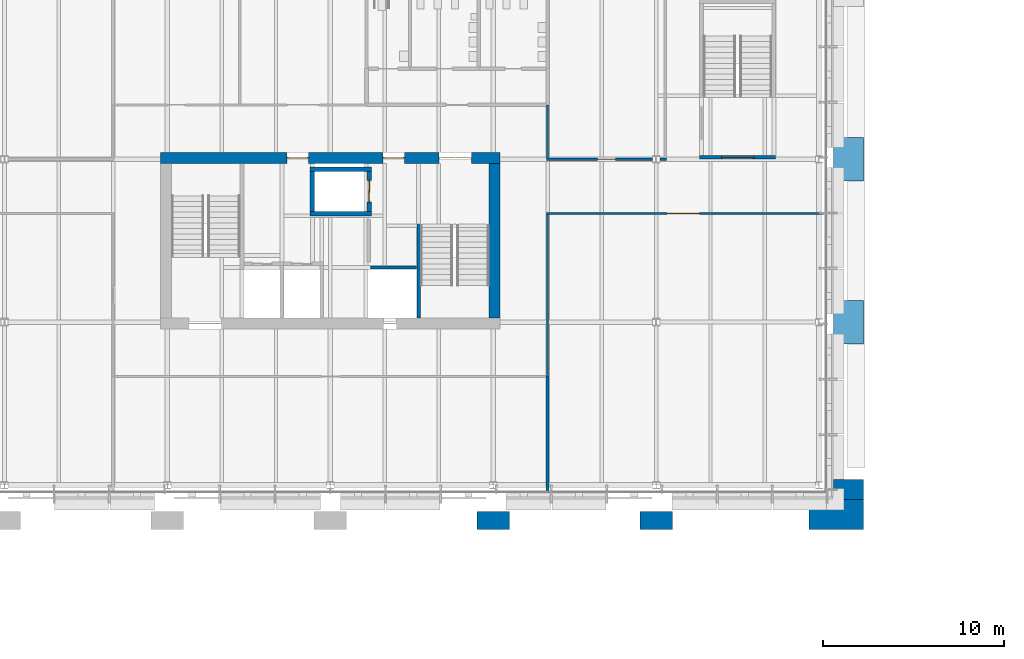
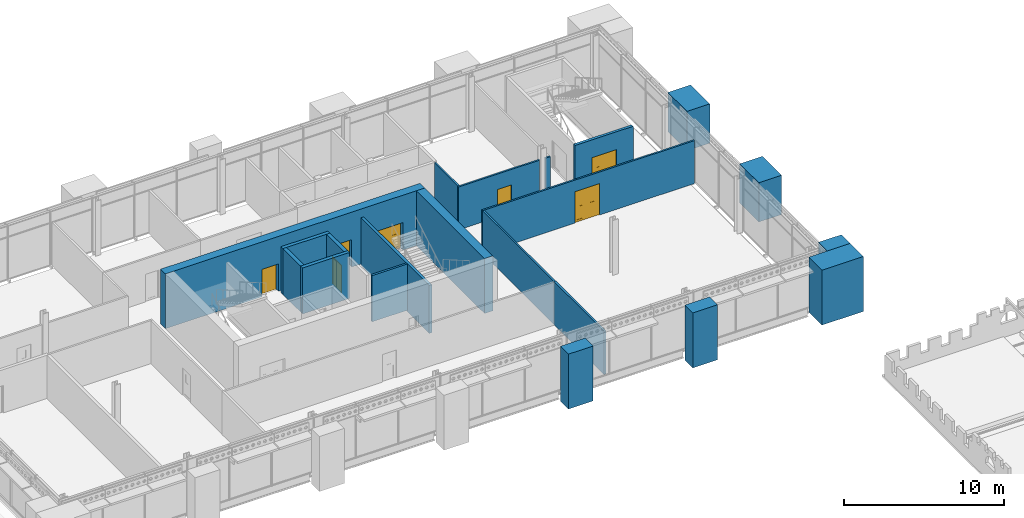
# One storey, part 108 of 153: 21 walls, 7 doors, 7 openings.
"""IFC4 building model written with IfcOpenShell, lengths in metres."""

from ifc_helpers import new_model, si_unit, direction, frame, frame_2d, origin, place, context, subcontext, project, spatial, polyline, rectangle, outline, extrude, material, layer, layer_set, type_object, element, fill, save


model = new_model("IFC4")

# Units and contexts
model_context = context("Model", 3, precision=1e-05, world=origin(), true_north=direction((0.0, 1.0)))
body_context = subcontext(model_context, "Body", "Model", "MODEL_VIEW")
ifc_project = project(units=[si_unit("LENGTHUNIT", "METRE"), si_unit("AREAUNIT", "SQUARE_METRE"), si_unit("VOLUMEUNIT", "CUBIC_METRE"), si_unit("PLANEANGLEUNIT", "RADIAN"), si_unit("MASSUNIT", "GRAM", prefix="KILO")], contexts=[model_context])

# Site, building, storey
site_placement = place(None, origin())
site = spatial("IfcSite", under=ifc_project, at=site_placement, CompositionType="ELEMENT")
building_placement = place(site_placement, origin())
building = spatial("IfcBuilding", under=site, at=building_placement, Name="Baradari Gate Terminus", CompositionType="ELEMENT")
storey_placement = place(building_placement, frame((0.0, 0.0, 11.699951171875)))
storey = spatial("IfcBuildingStorey", under=building, at=storey_placement, Name="L02", CompositionType="ELEMENT", Elevation=11.699951171875)

# Wall, opening, door
ifc_material_1 = material(Name="Gypsum board")
ifc_layer_1 = layer(ifc_material_1, 0.125)
ifc_layer_set_1 = layer_set([ifc_layer_1], Name="Gypsum board")
wall_type_1 = type_object("IfcWallType", Name="Corridor partition PT-5 125 EI 30", PredefinedType="PARTITIONING", material=ifc_layer_set_1)
wall_1_placement = place(storey_placement, frame((63.27001953125, 132.0, 0.0), z_axis=(0.0, 0.0, 1.0), x_axis=(-1.0, 0.0, 0.0)))
wall_1 = element("IfcWall", 1, at=wall_1_placement, inside=storey, type_object=wall_type_1, Name="PT-5 partition Corridor / Crew Booking Hall", PredefinedType="PARTITIONING", context=body_context, shape_type="SweptSolid", body=[
    extrude(rectangle(XDim=15.33251953125, YDim=0.125, at=frame_2d((7.666259765625, 0.0))), origin(), (0.0, 0.0, 1.0), 3.287109375),
])
opening_1_placement = place(wall_1_placement, frame((6.8701171875, 0.0, 0.0)))
opening_1 = element("IfcOpeningElement", 2, at=opening_1_placement, cuts=wall_1, Name="Opening D02-022", PredefinedType="OPENING", context=body_context, shape_type="SweptSolid", body=[
    extrude(rectangle(XDim=1.800048828125, YDim=2.39990234375, at=frame_2d((0.89990234375, 1.199951171875))), frame((0.0, 0.072509765625, 0.0), z_axis=(0.0, -1.0, 0.0), x_axis=(1.0, 0.0, 0.0)), (0.0, 0.0, 1.0), 0.14501953125),
])
ifc_material_2 = material(Name="Steel S275", Category="steel")
door_type_1 = type_object("IfcDoorType", Name="Fire door FI-1800x2400-FD30S 1800x2400 FD30S", OperationType="DOUBLE_DOOR_SINGLE_SWING", PredefinedType="DOOR", material=ifc_material_2)
door_1_placement = place(opening_1_placement, origin())
door_1 = element("IfcDoor", 3, at=door_1_placement, inside=storey, type_object=door_type_1, Name="Door Crew Booking Hall", OperationType="DOUBLE_DOOR_SINGLE_SWING", OverallHeight=2.4, OverallWidth=1.8, PredefinedType="DOOR", context=body_context, shape_type="SweptSolid", body=[
    extrude(outline(polyline([(0.0, 0.0), (0.070068359375, 0.0), (0.070068359375, 2.329833984375), (1.72998046875, 2.329833984375), (1.72998046875, 0.0), (1.800048828125, 0.0), (1.800048828125, 2.39990234375), (0.0, 2.39990234375), (0.0, 0.0)])), frame((0.0, 0.02490234375, 0.0), z_axis=(0.0, -1.0, 0.0), x_axis=(1.0, 0.0, 0.0)), (0.0, 0.0, 1.0), 0.050048828125),
    extrude(outline(polyline([(0.073974609375, 0.010009765625), (0.89697265625, 0.010009765625), (0.89697265625, 2.325927734375), (0.073974609375, 2.325927734375), (0.073974609375, 0.010009765625)]), holes=[polyline([(0.194091796875, 0.159912109375), (0.77685546875, 0.159912109375), (0.77685546875, 1.010009765625), (0.194091796875, 1.010009765625), (0.194091796875, 0.159912109375)]), polyline([(0.33544921875, 1.159912109375), (0.635498046875, 1.159912109375), (0.635498046875, 1.760009765625), (0.33544921875, 1.760009765625), (0.33544921875, 1.159912109375)])]), frame((0.0, 0.017333984375, 0.0), z_axis=(0.0, -1.0, 0.0), x_axis=(1.0, 0.0, 0.0)), (0.0, 0.0, 1.0), 0.034912109375),
    extrude(rectangle(XDim=0.582763671875, YDim=0.85009765625, at=frame_2d((0.4853515625, 0.5849609375))), frame((0.0, 0.008544921875, 0.0), z_axis=(0.0, -1.0, 0.0), x_axis=(1.0, 0.0, 0.0)), (0.0, 0.0, 1.0), 0.017333984375),
    extrude(rectangle(XDim=0.300048828125, YDim=0.60009765625, at=frame_2d((0.4853515625, 1.4599609375))), frame((0.0, 0.005859375, 0.0), z_axis=(0.0, -1.0, 0.0), x_axis=(1.0, 0.0, 0.0)), (0.0, 0.0, 1.0), 0.011962890625),
    extrude(outline(polyline([(0.903076171875, 0.010009765625), (1.72607421875, 0.010009765625), (1.72607421875, 2.325927734375), (0.903076171875, 2.325927734375), (0.903076171875, 0.010009765625)]), holes=[polyline([(1.023193359375, 0.159912109375), (1.60595703125, 0.159912109375), (1.60595703125, 1.010009765625), (1.023193359375, 1.010009765625), (1.023193359375, 0.159912109375)]), polyline([(1.16455078125, 1.159912109375), (1.464599609375, 1.159912109375), (1.464599609375, 1.760009765625), (1.16455078125, 1.760009765625), (1.16455078125, 1.159912109375)])]), frame((0.0, 0.017333984375, 0.0), z_axis=(0.0, -1.0, 0.0), x_axis=(1.0, 0.0, 0.0)), (0.0, 0.0, 1.0), 0.034912109375),
    extrude(rectangle(XDim=0.582763671875, YDim=0.85009765625, at=frame_2d((1.314453125, 0.5849609375))), frame((0.0, 0.008544921875, 0.0), z_axis=(0.0, -1.0, 0.0), x_axis=(1.0, 0.0, 0.0)), (0.0, 0.0, 1.0), 0.017333984375),
    extrude(rectangle(XDim=0.300048828125, YDim=0.60009765625, at=frame_2d((1.314453125, 1.4599609375))), frame((0.0, 0.005859375, 0.0), z_axis=(0.0, -1.0, 0.0), x_axis=(1.0, 0.0, 0.0)), (0.0, 0.0, 1.0), 0.011962890625),
])
fill(opening_1, door_1)

# Walls
wall_2_placement = place(storey_placement, frame((48.0, 131.9375, 0.0), z_axis=(0.0, 0.0, 1.0), x_axis=(0.0, -1.0, 0.0)))
element("IfcWall", 4, at=wall_2_placement, inside=storey, type_object=wall_type_1, Name="PT-5 partition Corridor / Crew Booking Hall", PredefinedType="PARTITIONING", context=body_context, shape_type="SweptSolid", body=[
    extrude(rectangle(XDim=8.9375, YDim=0.125, at=frame_2d((4.46875, 0.0))), origin(), (0.0, 0.0, 1.0), 3.287109375),
])
wall_3_placement = place(storey_placement, frame((48.0, 138.0, 0.0), z_axis=(0.0, 0.0, 1.0), x_axis=(0.0, -1.0, 0.0)))
element("IfcWall", 5, at=wall_3_placement, inside=storey, type_object=wall_type_1, Name="PT-5 partition Corridor / Tea Point", PredefinedType="PARTITIONING", context=body_context, shape_type="SweptSolid", body=[
    extrude(rectangle(XDim=2.9375, YDim=0.125, at=frame_2d((1.46875, 0.0))), origin(), (0.0, 0.0, 1.0), 3.287109375),
])

# Wall, opening, door
wall_4_placement = place(storey_placement, frame((47.9375, 135.0, 0.0), z_axis=(0.0, 0.0, 1.0), x_axis=(1.0, 0.0, 0.0)))
wall_4 = element("IfcWall", 6, at=wall_4_placement, inside=storey, type_object=wall_type_1, Name="PT-5 partition Corridor / Tea Point", PredefinedType="PARTITIONING", context=body_context, shape_type="SweptSolid", body=[
    extrude(rectangle(XDim=5.861083984375, YDim=0.125, at=frame_2d((2.9306640625, 0.0))), origin(), (0.0, 0.0, 1.0), 3.287109375),
])
opening_2_placement = place(wall_4_placement, frame((2.8125, 0.0, 0.0)))
opening_2 = element("IfcOpeningElement", 7, at=opening_2_placement, cuts=wall_4, Name="Opening D02-026", PredefinedType="OPENING", context=body_context, shape_type="SweptSolid", body=[
    extrude(rectangle(XDim=1.0, YDim=2.10009765625, at=frame_2d((0.5, 1.050048828125))), frame((0.0, 0.072509765625, 0.0), z_axis=(0.0, -1.0, 0.0), x_axis=(1.0, 0.0, 0.0)), (0.0, 0.0, 1.0), 0.14501953125),
])
ifc_material_3 = material(Name="Steel S275", Category="steel")
door_type_2 = type_object("IfcDoorType", Name="Fire door FI-1000-FD30S 1000x2100 FD30S", OperationType="SINGLE_SWING_LEFT", PredefinedType="DOOR", material=ifc_material_3)
door_2_placement = place(opening_2_placement, origin())
door_2 = element("IfcDoor", 8, at=door_2_placement, inside=storey, type_object=door_type_2, Name="Door Tea Point", OperationType="SINGLE_SWING_LEFT", OverallHeight=2.1, OverallWidth=1.0, PredefinedType="DOOR", context=body_context, shape_type="SweptSolid", body=[
    extrude(outline(polyline([(0.0, 0.0), (0.070068359375, 0.0), (0.070068359375, 2.030029296875), (0.929931640625, 2.030029296875), (0.929931640625, 0.0), (1.0, 0.0), (1.0, 2.10009765625), (0.0, 2.10009765625), (0.0, 0.0)])), frame((0.0, 0.02490234375, 0.0), z_axis=(0.0, -1.0, 0.0), x_axis=(1.0, 0.0, 0.0)), (0.0, 0.0, 1.0), 0.050048828125),
    extrude(outline(polyline([(0.073974609375, 0.010009765625), (0.926025390625, 0.010009765625), (0.926025390625, 2.026123046875), (0.073974609375, 2.026123046875), (0.073974609375, 0.010009765625)]), holes=[polyline([(0.194091796875, 0.159912109375), (0.805908203125, 0.159912109375), (0.805908203125, 1.010009765625), (0.194091796875, 1.010009765625), (0.194091796875, 0.159912109375)]), polyline([(0.35009765625, 1.159912109375), (0.64990234375, 1.159912109375), (0.64990234375, 1.760009765625), (0.35009765625, 1.760009765625), (0.35009765625, 1.159912109375)])]), frame((0.0, 0.017333984375, 0.0), z_axis=(0.0, -1.0, 0.0), x_axis=(1.0, 0.0, 0.0)), (0.0, 0.0, 1.0), 0.034912109375),
    extrude(rectangle(XDim=0.61181640625, YDim=0.85009765625, at=frame_2d((0.5, 0.5849609375))), frame((0.0, 0.008544921875, 0.0), z_axis=(0.0, -1.0, 0.0), x_axis=(1.0, 0.0, 0.0)), (0.0, 0.0, 1.0), 0.017333984375),
    extrude(rectangle(XDim=0.2998046875, YDim=0.60009765625, at=frame_2d((0.5, 1.4599609375))), frame((0.0, 0.005859375, 0.0), z_axis=(0.0, -1.0, 0.0), x_axis=(1.0, 0.0, 0.0)), (0.0, 0.0, 1.0), 0.011962890625),
])
fill(opening_2, door_2)

# Walls
wall_5_placement = place(storey_placement, frame((54.201416015625, 135.0, 0.0), z_axis=(0.0, 0.0, 1.0), x_axis=(1.0, 0.0, 0.0)))
element("IfcWall", 9, at=wall_5_placement, inside=storey, type_object=wall_type_1, Name="PT-5 partition Corridor / Tea Point", PredefinedType="PARTITIONING", context=body_context, shape_type="SweptSolid", body=[
    extrude(rectangle(XDim=0.361083984375, YDim=0.125, at=frame_2d((0.1806640625, 0.0))), origin(), (0.0, 0.0, 1.0), 3.287109375),
])
ifc_material_4 = material(Name="Concrete C32/40", Category="concrete")
ifc_layer_2 = layer(ifc_material_4, 0.25)
ifc_layer_set_2 = layer_set([ifc_layer_2], Name="Concrete C32/40")
wall_type_2 = type_object("IfcWallType", Name="Firefighting lift shaft wall SH-2 250 EI 120", PredefinedType="SOLIDWALL", material=ifc_layer_set_2)
for number, where, z_axis, x_axis, name in (
    (10, (34.875, 132.0, 0.0), (0.0, 0.0, 1.0), (1.0, 0.0, 0.0), "Lift shaft wall LT3 L02 S"),
    (11, (34.875, 134.449951171875, 0.0), (0.0, 0.0, 1.0), (1.0, 0.0, 0.0), "Lift shaft wall LT3 L02 N"),
):
    element("IfcWall", number, at=place(storey_placement, frame(where, z_axis=z_axis, x_axis=x_axis)), inside=storey, type_object=wall_type_2, Name=name, PredefinedType="SOLIDWALL", context=body_context, shape_type="SweptSolid", body=[
        extrude(rectangle(XDim=3.39990234375, YDim=0.25, at=frame_2d((1.699951171875, 0.0))), origin(), (0.0, 0.0, 1.0), 3.51611328125),
    ])
wall_6_placement = place(storey_placement, frame((35.0, 132.125, 0.0), z_axis=(0.0, 0.0, 1.0), x_axis=(0.0, 1.0, 0.0)))
element("IfcWall", 12, at=wall_6_placement, inside=storey, type_object=wall_type_2, Name="Lift shaft wall LT3 L02 W", PredefinedType="SOLIDWALL", context=body_context, shape_type="SweptSolid", body=[
    extrude(rectangle(XDim=2.199951171875, YDim=0.25, at=frame_2d((1.10009765625, 0.0))), origin(), (0.0, 0.0, 1.0), 3.51611328125),
])

# Wall, opening, door
wall_7_placement = place(storey_placement, frame((38.14990234375, 132.125, 0.0), z_axis=(0.0, 0.0, 1.0), x_axis=(0.0, 1.0, 0.0)))
wall_7 = element("IfcWall", 13, at=wall_7_placement, inside=storey, type_object=wall_type_2, Name="Lift shaft wall LT3 L02 E", PredefinedType="SOLIDWALL", context=body_context, shape_type="SweptSolid", body=[
    extrude(rectangle(XDim=2.199951171875, YDim=0.25, at=frame_2d((1.10009765625, 0.0))), origin(), (0.0, 0.0, 1.0), 3.51611328125),
])
opening_3_placement = place(wall_7_placement, frame((0.5, 0.0, 0.0)))
opening_3 = element("IfcOpeningElement", 14, at=opening_3_placement, cuts=wall_7, Name="Opening D02-007", PredefinedType="OPENING", context=body_context, shape_type="SweptSolid", body=[
    extrude(rectangle(XDim=1.199951171875, YDim=2.10009765625, at=frame_2d((0.60009765625, 1.050048828125))), frame((0.0, 0.135009765625, 0.0), z_axis=(0.0, -1.0, 0.0), x_axis=(1.0, 0.0, 0.0)), (0.0, 0.0, 1.0), 0.27001953125),
])
ifc_material_5 = material(Name="Stainless steel 1.4301", Category="steel")
door_type_3 = type_object("IfcDoorType", Name="Lift landing door LD2 1200x2100 E 120", OperationType="SLIDING_TO_LEFT", PredefinedType="DOOR", material=ifc_material_5)
door_3_placement = place(opening_3_placement, origin())
door_3 = element("IfcDoor", 15, at=door_3_placement, inside=storey, type_object=door_type_3, Name="Lift landing door LT3 L02", OperationType="SLIDING_TO_LEFT", OverallHeight=2.1, OverallWidth=1.2, PredefinedType="DOOR", context=body_context, shape_type="SweptSolid", body=[
    extrude(outline(polyline([(0.0, 0.0), (0.070068359375, 0.0), (0.070068359375, 2.030029296875), (1.1298828125, 2.030029296875), (1.1298828125, 0.0), (1.199951171875, 0.0), (1.199951171875, 2.10009765625), (0.0, 2.10009765625), (0.0, 0.0)])), frame((0.0, 0.02490234375, 0.0), z_axis=(0.0, -1.0, 0.0), x_axis=(1.0, 0.0, 0.0)), (0.0, 0.0, 1.0), 0.050048828125),
    extrude(rectangle(XDim=0.57861328125, YDim=2.01611328125, at=frame_2d((0.36328125, 1.01806640625))), frame((0.0, 0.017822265625, 0.0), z_axis=(0.0, -1.0, 0.0), x_axis=(1.0, 0.0, 0.0)), (0.0, 0.0, 1.0), 0.015869140625),
    extrude(rectangle(XDim=0.57470703125, YDim=2.01611328125, at=frame_2d((0.838623046875, 1.01806640625))), frame((0.0, -0.002197265625, 0.0), z_axis=(0.0, -1.0, 0.0), x_axis=(1.0, 0.0, 0.0)), (0.0, 0.0, 1.0), 0.015869140625),
])
fill(opening_3, door_3)

# Wall, openings, doors
ifc_material_6 = material(Name="Concrete C40/50", Category="concrete")
ifc_layer_3 = layer(ifc_material_6, 0.60009765625)
ifc_layer_set_3 = layer_set([ifc_layer_3], Name="Concrete C40/50")
wall_type_3 = type_object("IfcWallType", Name="Operations block core wall CWL01 600", PredefinedType="SOLIDWALL", material=ifc_layer_set_3)
wall_8_placement = place(storey_placement, frame((26.625, 135.074951171875, 0.0), z_axis=(0.0, 0.0, 1.0), x_axis=(1.0, 0.0, 0.0)))
wall_8 = element("IfcWall", 16, at=wall_8_placement, inside=storey, type_object=wall_type_3, Name="Operations block core wall CT N L02", PredefinedType="SOLIDWALL", context=body_context, shape_type="SweptSolid", body=[
    extrude(rectangle(XDim=18.75, YDim=0.60009765625, at=frame_2d((9.375, 0.0))), origin(), (0.0, 0.0, 1.0), 4.199951171875),
])
opening_4_placement = place(wall_8_placement, frame((15.375, 0.0, 0.0)))
opening_4 = element("IfcOpeningElement", 17, at=opening_4_placement, cuts=wall_8, Name="Opening D02-009", PredefinedType="OPENING", context=body_context, shape_type="SweptSolid", body=[
    extrude(rectangle(XDim=1.800048828125, YDim=2.10009765625, at=frame_2d((0.89990234375, 1.050048828125))), frame((0.0, 0.31005859375, 0.0), z_axis=(0.0, -1.0, 0.0), x_axis=(1.0, 0.0, 0.0)), (0.0, 0.0, 1.0), 0.6201171875),
])
opening_5_placement = place(wall_8_placement, frame((6.97509765625, 0.0, 0.0)))
opening_5 = element("IfcOpeningElement", 18, at=opening_5_placement, cuts=wall_8, Name="Opening D02-010", PredefinedType="OPENING", context=body_context, shape_type="SweptSolid", body=[
    extrude(rectangle(XDim=1.199951171875, YDim=2.10009765625, at=frame_2d((0.60009765625, 1.050048828125))), frame((0.0, 0.31005859375, 0.0), z_axis=(0.0, -1.0, 0.0), x_axis=(1.0, 0.0, 0.0)), (0.0, 0.0, 1.0), 0.6201171875),
])
opening_6_placement = place(wall_8_placement, frame((12.27490234375, 0.0, 0.0)))
opening_6 = element("IfcOpeningElement", 19, at=opening_6_placement, cuts=wall_8, Name="Opening D02-011", PredefinedType="OPENING", context=body_context, shape_type="SweptSolid", body=[
    extrude(rectangle(XDim=1.199951171875, YDim=2.10009765625, at=frame_2d((0.60009765625, 1.050048828125))), frame((0.0, 0.31005859375, 0.0), z_axis=(0.0, -1.0, 0.0), x_axis=(1.0, 0.0, 0.0)), (0.0, 0.0, 1.0), 0.6201171875),
])
ifc_material_7 = material(Name="Steel S275", Category="steel")
door_type_4 = type_object("IfcDoorType", Name="Fire door FI-1200-FD90S 1200x2100 FD90S", OperationType="DOUBLE_DOOR_SINGLE_SWING", PredefinedType="DOOR", material=ifc_material_7)
door_4_placement = place(opening_5_placement, frame((1.199951171875, 0.0, 0.0), z_axis=(0.0, 0.0, 1.0), x_axis=(-1.0, 0.0, 0.0)))
door_4 = element("IfcDoor", 20, at=door_4_placement, inside=storey, type_object=door_type_4, Name="Door Lift Lobby", OperationType="DOUBLE_DOOR_SINGLE_SWING", OverallHeight=2.1, OverallWidth=1.2, PredefinedType="DOOR", context=body_context, shape_type="SweptSolid", body=[
    extrude(outline(polyline([(0.0, 0.0), (0.070068359375, 0.0), (0.070068359375, 2.030029296875), (1.1298828125, 2.030029296875), (1.1298828125, 0.0), (1.199951171875, 0.0), (1.199951171875, 2.10009765625), (0.0, 2.10009765625), (0.0, 0.0)])), frame((0.0, 0.02490234375, 0.0), z_axis=(0.0, -1.0, 0.0), x_axis=(1.0, 0.0, 0.0)), (0.0, 0.0, 1.0), 0.050048828125),
    extrude(outline(polyline([(0.073974609375, 0.010009765625), (0.596923828125, 0.010009765625), (0.596923828125, 2.026123046875), (0.073974609375, 2.026123046875), (0.073974609375, 0.010009765625)]), holes=[polyline([(0.178466796875, 0.372802734375), (0.492431640625, 0.372802734375), (0.492431640625, 1.7841796875), (0.178466796875, 1.7841796875), (0.178466796875, 0.372802734375)])]), frame((0.0, 0.017333984375, 0.0), z_axis=(0.0, -1.0, 0.0), x_axis=(1.0, 0.0, 0.0)), (0.0, 0.0, 1.0), 0.034912109375),
    extrude(rectangle(XDim=0.31396484375, YDim=1.411376953125, at=frame_2d((0.33544921875, 1.07861328125))), frame((0.0, 0.008544921875, 0.0), z_axis=(0.0, -1.0, 0.0), x_axis=(1.0, 0.0, 0.0)), (0.0, 0.0, 1.0), 0.017333984375),
    extrude(outline(polyline([(0.60302734375, 0.010009765625), (1.1259765625, 0.010009765625), (1.1259765625, 2.026123046875), (0.60302734375, 2.026123046875), (0.60302734375, 0.010009765625)]), holes=[polyline([(0.70751953125, 0.372802734375), (1.021484375, 0.372802734375), (1.021484375, 1.7841796875), (0.70751953125, 1.7841796875), (0.70751953125, 0.372802734375)])]), frame((0.0, 0.017333984375, 0.0), z_axis=(0.0, -1.0, 0.0), x_axis=(1.0, 0.0, 0.0)), (0.0, 0.0, 1.0), 0.034912109375),
    extrude(rectangle(XDim=0.31396484375, YDim=1.411376953125, at=frame_2d((0.864501953125, 1.07861328125))), frame((0.0, 0.008544921875, 0.0), z_axis=(0.0, -1.0, 0.0), x_axis=(1.0, 0.0, 0.0)), (0.0, 0.0, 1.0), 0.017333984375),
])
fill(opening_5, door_4)
door_5_placement = place(opening_6_placement, frame((1.199951171875, 0.0, 0.0), z_axis=(0.0, 0.0, 1.0), x_axis=(-1.0, 0.0, 0.0)))
door_5 = element("IfcDoor", 21, at=door_5_placement, inside=storey, type_object=door_type_4, Name="Door Lift Lobby (Fire-fighting)", OperationType="DOUBLE_DOOR_SINGLE_SWING", OverallHeight=2.1, OverallWidth=1.2, PredefinedType="DOOR", context=body_context, shape_type="SweptSolid", body=[
    extrude(outline(polyline([(0.0, 0.0), (0.070068359375, 0.0), (0.070068359375, 2.030029296875), (1.1298828125, 2.030029296875), (1.1298828125, 0.0), (1.199951171875, 0.0), (1.199951171875, 2.10009765625), (0.0, 2.10009765625), (0.0, 0.0)])), frame((0.0, 0.02490234375, 0.0), z_axis=(0.0, -1.0, 0.0), x_axis=(1.0, 0.0, 0.0)), (0.0, 0.0, 1.0), 0.050048828125),
    extrude(outline(polyline([(0.073974609375, 0.010009765625), (0.596923828125, 0.010009765625), (0.596923828125, 2.026123046875), (0.073974609375, 2.026123046875), (0.073974609375, 0.010009765625)]), holes=[polyline([(0.178466796875, 0.372802734375), (0.492431640625, 0.372802734375), (0.492431640625, 1.7841796875), (0.178466796875, 1.7841796875), (0.178466796875, 0.372802734375)])]), frame((0.0, 0.017333984375, 0.0), z_axis=(0.0, -1.0, 0.0), x_axis=(1.0, 0.0, 0.0)), (0.0, 0.0, 1.0), 0.034912109375),
    extrude(rectangle(XDim=0.31396484375, YDim=1.411376953125, at=frame_2d((0.33544921875, 1.07861328125))), frame((0.0, 0.008544921875, 0.0), z_axis=(0.0, -1.0, 0.0), x_axis=(1.0, 0.0, 0.0)), (0.0, 0.0, 1.0), 0.017333984375),
    extrude(outline(polyline([(0.60302734375, 0.010009765625), (1.1259765625, 0.010009765625), (1.1259765625, 2.026123046875), (0.60302734375, 2.026123046875), (0.60302734375, 0.010009765625)]), holes=[polyline([(0.70751953125, 0.372802734375), (1.021484375, 0.372802734375), (1.021484375, 1.7841796875), (0.70751953125, 1.7841796875), (0.70751953125, 0.372802734375)])]), frame((0.0, 0.017333984375, 0.0), z_axis=(0.0, -1.0, 0.0), x_axis=(1.0, 0.0, 0.0)), (0.0, 0.0, 1.0), 0.034912109375),
    extrude(rectangle(XDim=0.31396484375, YDim=1.411376953125, at=frame_2d((0.864501953125, 1.07861328125))), frame((0.0, 0.008544921875, 0.0), z_axis=(0.0, -1.0, 0.0), x_axis=(1.0, 0.0, 0.0)), (0.0, 0.0, 1.0), 0.017333984375),
])
fill(opening_6, door_5)
ifc_material_8 = material(Name="Steel S275", Category="steel")
door_type_5 = type_object("IfcDoorType", Name="Fire door FI-1800-FD90S 1800x2100 FD90S", OperationType="DOUBLE_DOOR_SINGLE_SWING", PredefinedType="DOOR", material=ifc_material_8)
door_6_placement = place(opening_4_placement, frame((1.800048828125, 0.0, 0.0), z_axis=(0.0, 0.0, 1.0), x_axis=(-1.0, 0.0, 0.0)))
door_6 = element("IfcDoor", 22, at=door_6_placement, inside=storey, type_object=door_type_5, Name="Door Stair (Core) 2", OperationType="DOUBLE_DOOR_SINGLE_SWING", OverallHeight=2.1, OverallWidth=1.8, PredefinedType="DOOR", context=body_context, shape_type="SweptSolid", body=[
    extrude(outline(polyline([(0.0, 0.0), (0.070068359375, 0.0), (0.070068359375, 2.030029296875), (1.72998046875, 2.030029296875), (1.72998046875, 0.0), (1.800048828125, 0.0), (1.800048828125, 2.10009765625), (0.0, 2.10009765625), (0.0, 0.0)])), frame((0.0, 0.02490234375, 0.0), z_axis=(0.0, -1.0, 0.0), x_axis=(1.0, 0.0, 0.0)), (0.0, 0.0, 1.0), 0.050048828125),
    extrude(outline(polyline([(0.073974609375, 0.010009765625), (0.89697265625, 0.010009765625), (0.89697265625, 2.026123046875), (0.073974609375, 2.026123046875), (0.073974609375, 0.010009765625)]), holes=[polyline([(0.194091796875, 0.159912109375), (0.77685546875, 0.159912109375), (0.77685546875, 1.010009765625), (0.194091796875, 1.010009765625), (0.194091796875, 0.159912109375)]), polyline([(0.33544921875, 1.159912109375), (0.635498046875, 1.159912109375), (0.635498046875, 1.760009765625), (0.33544921875, 1.760009765625), (0.33544921875, 1.159912109375)])]), frame((0.0, 0.017333984375, 0.0), z_axis=(0.0, -1.0, 0.0), x_axis=(1.0, 0.0, 0.0)), (0.0, 0.0, 1.0), 0.034912109375),
    extrude(rectangle(XDim=0.582763671875, YDim=0.85009765625, at=frame_2d((0.4853515625, 0.5849609375))), frame((0.0, 0.008544921875, 0.0), z_axis=(0.0, -1.0, 0.0), x_axis=(1.0, 0.0, 0.0)), (0.0, 0.0, 1.0), 0.017333984375),
    extrude(rectangle(XDim=0.300048828125, YDim=0.60009765625, at=frame_2d((0.4853515625, 1.4599609375))), frame((0.0, 0.005859375, 0.0), z_axis=(0.0, -1.0, 0.0), x_axis=(1.0, 0.0, 0.0)), (0.0, 0.0, 1.0), 0.011962890625),
    extrude(outline(polyline([(0.903076171875, 0.010009765625), (1.72607421875, 0.010009765625), (1.72607421875, 2.026123046875), (0.903076171875, 2.026123046875), (0.903076171875, 0.010009765625)]), holes=[polyline([(1.023193359375, 0.159912109375), (1.60595703125, 0.159912109375), (1.60595703125, 1.010009765625), (1.023193359375, 1.010009765625), (1.023193359375, 0.159912109375)]), polyline([(1.16455078125, 1.159912109375), (1.464599609375, 1.159912109375), (1.464599609375, 1.760009765625), (1.16455078125, 1.760009765625), (1.16455078125, 1.159912109375)])]), frame((0.0, 0.017333984375, 0.0), z_axis=(0.0, -1.0, 0.0), x_axis=(1.0, 0.0, 0.0)), (0.0, 0.0, 1.0), 0.034912109375),
    extrude(rectangle(XDim=0.582763671875, YDim=0.85009765625, at=frame_2d((1.314453125, 0.5849609375))), frame((0.0, 0.008544921875, 0.0), z_axis=(0.0, -1.0, 0.0), x_axis=(1.0, 0.0, 0.0)), (0.0, 0.0, 1.0), 0.017333984375),
    extrude(rectangle(XDim=0.300048828125, YDim=0.60009765625, at=frame_2d((1.314453125, 1.4599609375))), frame((0.0, 0.005859375, 0.0), z_axis=(0.0, -1.0, 0.0), x_axis=(1.0, 0.0, 0.0)), (0.0, 0.0, 1.0), 0.011962890625),
])
fill(opening_4, door_6)

# Walls
wall_9_placement = place(storey_placement, frame((45.074951171875, 126.22509765625, 0.0), z_axis=(0.0, 0.0, 1.0), x_axis=(0.0, 1.0, 0.0)))
element("IfcWall", 23, at=wall_9_placement, inside=storey, type_object=wall_type_3, Name="Operations block core wall CT E L02", PredefinedType="SOLIDWALL", context=body_context, shape_type="SweptSolid", body=[
    extrude(rectangle(XDim=8.5498046875, YDim=0.60009765625, at=frame_2d((4.27490234375, 0.0))), origin(), (0.0, 0.0, 1.0), 4.199951171875),
])
ifc_material_9 = material(Name="Blockwork wall, plastered", Category="masonry")
ifc_layer_4 = layer(ifc_material_9, 0.14990234375)
ifc_layer_set_4 = layer_set([ifc_layer_4], Name="Blockwork wall, plastered")
wall_type_4 = type_object("IfcWallType", Name="Partition PT-2 150 EI 60", PredefinedType="PARTITIONING", material=ifc_layer_set_4)
wall_10_placement = place(storey_placement, frame((48.0, 116.705078125, 0.0), z_axis=(0.0, 0.0, 1.0), x_axis=(0.0, 1.0, 0.0)))
element("IfcWall", 24, at=wall_10_placement, inside=storey, type_object=wall_type_4, Name="PT-2 partition Crew Booking Hall / Control Floor Gallery", PredefinedType="PARTITIONING", context=body_context, shape_type="SweptSolid", body=[
    extrude(rectangle(XDim=6.294921875, YDim=0.14990234375, at=frame_2d((3.1474609375, 0.0))), origin(), (0.0, 0.0, 1.0), 3.30712890625),
])
ifc_material_10 = material(Name="Blockwork wall, fire rated", Category="masonry")
ifc_layer_5 = layer(ifc_material_10, 0.14990234375)
ifc_layer_set_5 = layer_set([ifc_layer_5], Name="Blockwork wall, fire rated")
wall_type_5 = type_object("IfcWallType", Name="Riser wall RW-1 150 EI 120", PredefinedType="SOLIDWALL", material=ifc_layer_set_5)
wall_11_placement = place(storey_placement, frame((40.77294921875, 129.02490234375, 0.0), z_axis=(0.0, 0.0, 1.0), x_axis=(-1.0, 0.0, 0.0)))
element("IfcWall", 25, at=wall_11_placement, inside=storey, type_object=wall_type_5, Name="RW-1 partition Lift Lobby (Fire-fighting) / Riser", PredefinedType="SOLIDWALL", context=body_context, shape_type="SweptSolid", body=[
    extrude(rectangle(XDim=2.5478515625, YDim=0.14990234375, at=frame_2d((1.27392578125, 0.0))), origin(), (0.0, 0.0, 1.0), 3.5361328125),
])
ifc_material_11 = material(Name="Concrete C40/50 precast", Category="concrete")
ifc_layer_6 = layer(ifc_material_11, 1.55)
ifc_material_12 = material(Name="Sandstone cladding", Category="masonry")
ifc_layer_7 = layer(ifc_material_12, 0.1)
ifc_layer_set_6 = layer_set([ifc_layer_6, ifc_layer_7], Name="Concrete C40/50 precast")
wall_type_6 = type_object("IfcWallType", Name="Sandstone-faced precast frame pier WQ-4 1650", PredefinedType="SOLIDWALL", material=ifc_layer_set_6)
for number, where, z_axis, x_axis, name in (
    (26, (64.6201171875, 124.800048828125, 1.199951171875), (0.0, 0.0, 1.0), (0.0, 1.0, 0.0), "Frame pier E face bay 1 a L02"),
    (27, (64.6201171875, 133.800048828125, 1.199951171875), (0.0, 0.0, 1.0), (0.0, 1.0, 0.0), "Frame pier E face bay 1 b L02"),
):
    element("IfcWall", number, at=place(storey_placement, frame(where, z_axis=z_axis, x_axis=x_axis)), inside=storey, type_object=wall_type_6, Name=name, PredefinedType="SOLIDWALL", context=body_context, shape_type="SweptSolid", body=[
        extrude(rectangle(XDim=2.39990234375, YDim=1.64990234375, at=frame_2d((1.199951171875, 0.0))), origin(), (0.0, 0.0, 1.0), 3.0),
    ])
wall_12_placement = place(storey_placement, frame((62.445068359375, 115.3798828125, 0.0), z_axis=(0.0, 0.0, 1.0), x_axis=(1.0, 0.0, 0.0)))
element("IfcWall", 28, at=wall_12_placement, inside=storey, type_object=wall_type_6, Name="Corner pilaster SE leg A L02", PredefinedType="SOLIDWALL", context=body_context, shape_type="SweptSolid", body=[
    extrude(rectangle(XDim=3.0, YDim=1.64990234375, at=frame_2d((1.5, 0.0))), origin(), (0.0, 0.0, 1.0), 4.199951171875),
])
wall_13_placement = place(storey_placement, frame((64.6201171875, 116.205078125, 0.0), z_axis=(0.0, 0.0, 1.0), x_axis=(0.0, 1.0, 0.0)))
element("IfcWall", 29, at=wall_13_placement, inside=storey, type_object=wall_type_6, Name="Corner pilaster SE leg B L02", PredefinedType="SOLIDWALL", context=body_context, shape_type="SweptSolid", body=[
    extrude(rectangle(XDim=1.099853515625, YDim=1.64990234375, at=frame_2d((0.5498046875, 0.0))), origin(), (0.0, 0.0, 1.0), 4.199951171875),
])
ifc_layer_8 = layer(ifc_material_11, 0.9)
ifc_layer_9 = layer(ifc_material_12, 0.1)
ifc_layer_set_7 = layer_set([ifc_layer_8, ifc_layer_9], Name="Concrete C40/50 precast")
wall_type_7 = type_object("IfcWallType", Name="Sandstone-faced precast grid pier WQ-6 1000", PredefinedType="SOLIDWALL", material=ifc_layer_set_7)
for number, where, z_axis, x_axis, name in (
    (30, (44.10009765625, 115.054931640625, 0.0), (0.0, 0.0, 1.0), (1.0, 0.0, 0.0), "Frame pier S face bay 2 a L02"),
    (31, (53.10009765625, 115.054931640625, 0.0), (0.0, 0.0, 1.0), (1.0, 0.0, 0.0), "Frame pier S face bay 2 b L02"),
):
    element("IfcWall", number, at=place(storey_placement, frame(where, z_axis=z_axis, x_axis=x_axis)), inside=storey, type_object=wall_type_7, Name=name, PredefinedType="SOLIDWALL", context=body_context, shape_type="SweptSolid", body=[
        extrude(rectangle(XDim=1.7998046875, YDim=1.0, at=frame_2d((0.89990234375, 0.0))), origin(), (0.0, 0.0, 1.0), 4.199951171875),
    ])
ifc_material_13 = material(Name="Concrete C40/50", Category="concrete")
ifc_layer_10 = layer(ifc_material_13, 0.199951171875)
ifc_layer_set_8 = layer_set([ifc_layer_10], Name="Concrete C40/50")
wall_type_8 = type_object("IfcWallType", Name="Stair enclosure wall SE-1 200 EI 120", PredefinedType="SOLIDWALL", material=ifc_layer_set_8)
wall_14_placement = place(storey_placement, frame((40.875, 126.22705078125, -0.1298828125), z_axis=(0.0, 0.0, 1.0), x_axis=(0.0, 1.0, 0.0)))
element("IfcWall", 32, at=wall_14_placement, inside=storey, type_object=wall_type_8, Name="Stair enclosure wall SE-1 ST-T2 L02 W", PredefinedType="SOLIDWALL", context=body_context, shape_type="SweptSolid", body=[
    extrude(rectangle(XDim=8.5458984375, YDim=0.199951171875, at=frame_2d((4.27294921875, 0.0))), origin(), (0.0, 0.0, 1.0), 3.666015625),
])

# Wall, opening, door
ifc_material_14 = material(Name="Concrete C40/50", Category="concrete")
ifc_layer_11 = layer(ifc_material_14, 0.199951171875)
ifc_layer_set_9 = layer_set([ifc_layer_11], Name="Concrete C40/50")
wall_type_9 = type_object("IfcWallType", Name="Stair enclosure wall SE-2 200 EI 120", PredefinedType="SOLIDWALL", material=ifc_layer_set_9)
wall_15_placement = place(storey_placement, frame((56.39990234375, 135.10009765625, -0.1298828125), z_axis=(0.0, 0.0, 1.0), x_axis=(1.0, 0.0, 0.0)))
wall_15 = element("IfcWall", 33, at=wall_15_placement, inside=storey, type_object=wall_type_9, Name="Stair enclosure wall SE-2 ST-T3 L02 S", PredefinedType="SOLIDWALL", context=body_context, shape_type="SweptSolid", body=[
    extrude(rectangle(XDim=4.2001953125, YDim=0.199951171875, at=frame_2d((2.10009765625, 0.0))), origin(), (0.0, 0.0, 1.0), 3.5869140625),
])
opening_7_placement = place(wall_15_placement, frame((1.199951171875, 0.0, 0.1298828125)))
opening_7 = element("IfcOpeningElement", 34, at=opening_7_placement, cuts=wall_15, Name="Opening D02-014", PredefinedType="OPENING", context=body_context, shape_type="SweptSolid", body=[
    extrude(rectangle(XDim=1.800048828125, YDim=2.10009765625, at=frame_2d((0.89990234375, 1.050048828125))), frame((0.0, 0.10986328125, 0.0), z_axis=(0.0, -1.0, 0.0), x_axis=(1.0, 0.0, 0.0)), (0.0, 0.0, 1.0), 0.219970703125),
])
door_7_placement = place(opening_7_placement, origin())
door_7 = element("IfcDoor", 35, at=door_7_placement, inside=storey, type_object=door_type_5, Name="Door Stair (East Core)", OperationType="DOUBLE_DOOR_SINGLE_SWING", OverallHeight=2.1, OverallWidth=1.8, PredefinedType="DOOR", context=body_context, shape_type="SweptSolid", body=[
    extrude(outline(polyline([(0.0, 0.0), (0.070068359375, 0.0), (0.070068359375, 2.030029296875), (1.72998046875, 2.030029296875), (1.72998046875, 0.0), (1.800048828125, 0.0), (1.800048828125, 2.10009765625), (0.0, 2.10009765625), (0.0, 0.0)])), frame((0.0, 0.02490234375, 0.0), z_axis=(0.0, -1.0, 0.0), x_axis=(1.0, 0.0, 0.0)), (0.0, 0.0, 1.0), 0.050048828125),
    extrude(outline(polyline([(0.073974609375, 0.010009765625), (0.89697265625, 0.010009765625), (0.89697265625, 2.026123046875), (0.073974609375, 2.026123046875), (0.073974609375, 0.010009765625)]), holes=[polyline([(0.194091796875, 0.159912109375), (0.77685546875, 0.159912109375), (0.77685546875, 1.010009765625), (0.194091796875, 1.010009765625), (0.194091796875, 0.159912109375)]), polyline([(0.33544921875, 1.159912109375), (0.635498046875, 1.159912109375), (0.635498046875, 1.760009765625), (0.33544921875, 1.760009765625), (0.33544921875, 1.159912109375)])]), frame((0.0, 0.017333984375, 0.0), z_axis=(0.0, -1.0, 0.0), x_axis=(1.0, 0.0, 0.0)), (0.0, 0.0, 1.0), 0.034912109375),
    extrude(rectangle(XDim=0.582763671875, YDim=0.85009765625, at=frame_2d((0.4853515625, 0.5849609375))), frame((0.0, 0.008544921875, 0.0), z_axis=(0.0, -1.0, 0.0), x_axis=(1.0, 0.0, 0.0)), (0.0, 0.0, 1.0), 0.017333984375),
    extrude(rectangle(XDim=0.300048828125, YDim=0.60009765625, at=frame_2d((0.4853515625, 1.4599609375))), frame((0.0, 0.005859375, 0.0), z_axis=(0.0, -1.0, 0.0), x_axis=(1.0, 0.0, 0.0)), (0.0, 0.0, 1.0), 0.011962890625),
    extrude(outline(polyline([(0.903076171875, 0.010009765625), (1.72607421875, 0.010009765625), (1.72607421875, 2.026123046875), (0.903076171875, 2.026123046875), (0.903076171875, 0.010009765625)]), holes=[polyline([(1.023193359375, 0.159912109375), (1.60595703125, 0.159912109375), (1.60595703125, 1.010009765625), (1.023193359375, 1.010009765625), (1.023193359375, 0.159912109375)]), polyline([(1.16455078125, 1.159912109375), (1.464599609375, 1.159912109375), (1.464599609375, 1.760009765625), (1.16455078125, 1.760009765625), (1.16455078125, 1.159912109375)])]), frame((0.0, 0.017333984375, 0.0), z_axis=(0.0, -1.0, 0.0), x_axis=(1.0, 0.0, 0.0)), (0.0, 0.0, 1.0), 0.034912109375),
    extrude(rectangle(XDim=0.582763671875, YDim=0.85009765625, at=frame_2d((1.314453125, 0.5849609375))), frame((0.0, 0.008544921875, 0.0), z_axis=(0.0, -1.0, 0.0), x_axis=(1.0, 0.0, 0.0)), (0.0, 0.0, 1.0), 0.017333984375),
    extrude(rectangle(XDim=0.300048828125, YDim=0.60009765625, at=frame_2d((1.314453125, 1.4599609375))), frame((0.0, 0.005859375, 0.0), z_axis=(0.0, -1.0, 0.0), x_axis=(1.0, 0.0, 0.0)), (0.0, 0.0, 1.0), 0.011962890625),
])
fill(opening_7, door_7)

save(model, "model.ifc")
